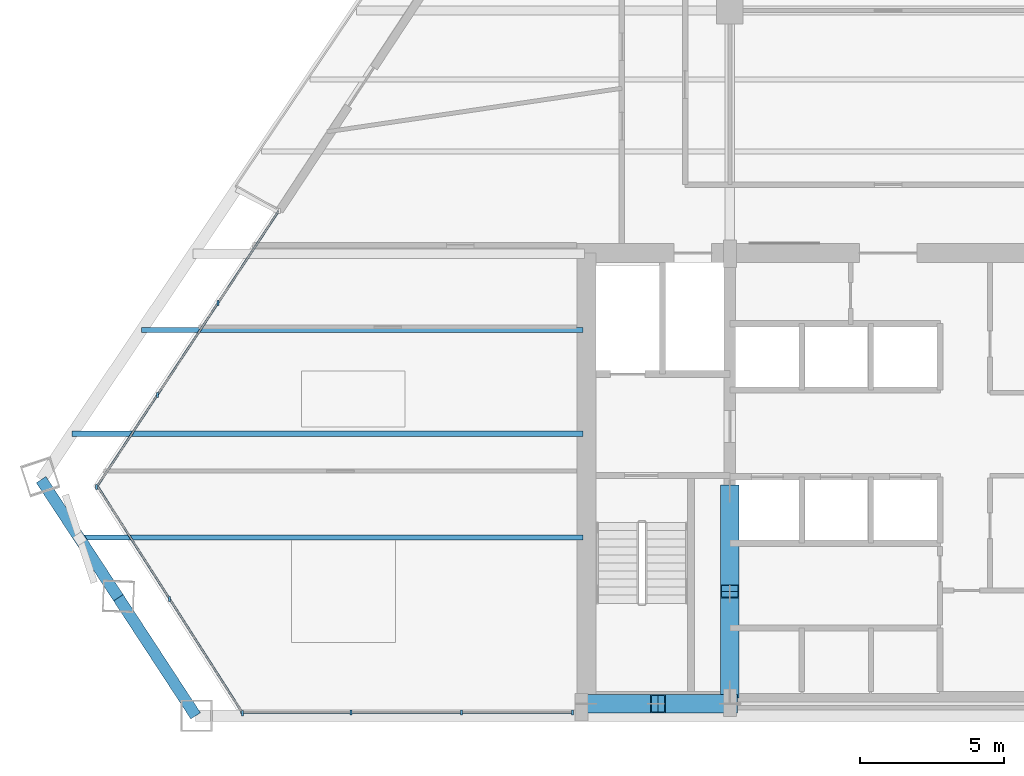
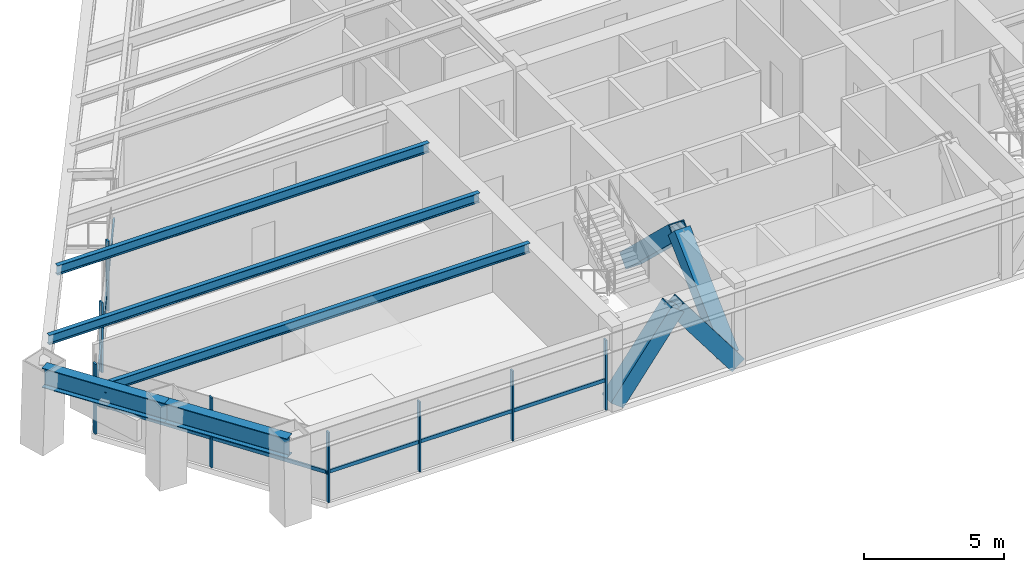
# One storey, part 2 of 14: 20 members, 5 beams, 3 elements without a shape of their own.
"""IFC4 building model written with IfcOpenShell, lengths in metres."""

from ifc_helpers import new_model, si_unit, direction, frame, origin, origin_2d, place, context, subcontext, project, spatial, rectangle, hollow_rectangle, i_section, extrude, source, transform, mapped, material, material_profile, profile_set, type_object, type_shapes, element, aggregate, save


model = new_model("IFC4")

# Units and contexts
model_context = context("Model", 3, precision=1e-05, world=origin(), true_north=direction((0.0, 1.0)))
body_context = subcontext(model_context, "Body", "Model", "MODEL_VIEW")
ifc_project = project(units=[si_unit("LENGTHUNIT", "METRE"), si_unit("AREAUNIT", "SQUARE_METRE"), si_unit("VOLUMEUNIT", "CUBIC_METRE"), si_unit("PLANEANGLEUNIT", "RADIAN"), si_unit("MASSUNIT", "GRAM", prefix="KILO")], contexts=[model_context])

# Site, building, storey
site_placement = place(None, origin())
site = spatial("IfcSite", under=ifc_project, at=site_placement, CompositionType="ELEMENT")
building_placement = place(site_placement, origin())
building = spatial("IfcBuilding", under=site, at=building_placement, Name="Varnakhor Terracotta Tower", CompositionType="ELEMENT")
storey_placement = place(building_placement, frame((0.0, 0.0, 125.60009765625)))
storey = spatial("IfcBuildingStorey", under=building, at=storey_placement, Name="L31", CompositionType="ELEMENT", Elevation=125.60009765625)

# Beams
ifc_material_1 = material(Name="Steel S355", Category="steel")
ifc_material_profile_1 = material_profile(ifc_material_1, i_section(OverallWidth=0.39990234375, OverallDepth=0.85498046875, WebThickness=0.01806640625, FlangeThickness=0.029052734375, FilletRadius=0.01806640625, at=origin_2d()), Name="W33X201")
ifc_profile_set_1 = profile_set([ifc_material_profile_1], Name="Steel S355")
beam_type_1 = type_object("IfcBeamType", Name="BM-W33X201", PredefinedType="BEAM", material=ifc_profile_set_1)
shared_shape_1 = source(origin(), body_context, "Body", "SweptSolid", [
    extrude(i_section(OverallWidth=0.39990234375, OverallDepth=0.85498046875, WebThickness=0.01806640625, FlangeThickness=0.029052734375, FilletRadius=0.01806640625, at=origin_2d()), origin(), (0.0, 0.0, 1.0), 4.9013671875),
])
beam_1_placement = place(storey_placement, frame((-29.4228515625, 8.20263671875, 3.04248046875), z_axis=(0.54756470338, -0.836763345046, 0.0), x_axis=(0.836763345046, 0.54756470338, 0.0)))
element("IfcBeam", 1, at=beam_1_placement, inside=storey, type_object=beam_type_1, Name="L31 Perimeter Spandrel 7", PredefinedType="BEAM", context=body_context, shape_type="MappedRepresentation", body=[
    mapped(shared_shape_1, transform((0.0, 0.0, 0.0), scale=1.0)),
])
shared_shape_2 = source(origin(), body_context, "Body", "SweptSolid", [
    extrude(i_section(OverallWidth=0.39990234375, OverallDepth=0.85498046875, WebThickness=0.01806640625, FlangeThickness=0.029052734375, FilletRadius=0.01806640625, at=origin_2d()), origin(), (0.0, 0.0, 1.0), 4.901611328125),
])
beam_2_placement = place(storey_placement, frame((-26.739013671875, 4.101318359375, 3.04248046875), z_axis=(0.54759957778, -0.836740522752, 0.0), x_axis=(0.836740522752, 0.54759957778, 0.0)))
element("IfcBeam", 2, at=beam_2_placement, inside=storey, type_object=beam_type_1, Name="L31 Perimeter Spandrel 8", PredefinedType="BEAM", context=body_context, shape_type="MappedRepresentation", body=[
    mapped(shared_shape_2, transform((0.0, 0.0, 0.0), scale=1.0)),
])
ifc_material_profile_2 = material_profile(ifc_material_1, i_section(OverallWidth=0.179931640625, OverallDepth=0.4130859375, WebThickness=0.009765625, FlangeThickness=0.01611328125, FilletRadius=0.01806640625, at=origin_2d()), Name="W16X50")
ifc_profile_set_2 = profile_set([ifc_material_profile_2], Name="Steel S355")
beam_type_2 = type_object("IfcBeamType", Name="JST-W16X50", PredefinedType="JOIST", material=ifc_profile_set_2)
shared_shape_3 = source(origin(), body_context, "Body", "SweptSolid", [
    extrude(i_section(OverallWidth=0.179931640625, OverallDepth=0.4130859375, WebThickness=0.009765625, FlangeThickness=0.01611328125, FilletRadius=0.01806640625, at=origin_2d()), origin(), (0.0, 0.0, 1.0), 17.51220703125),
])
beam_3_placement = place(storey_placement, frame((-28.1123046875, 6.199951171875, 3.263427734375), z_axis=(1.0, 0.0, 0.0), x_axis=(0.0, 1.0, 0.0)))
element("IfcBeam", 3, at=beam_3_placement, inside=storey, type_object=beam_type_2, Name="L31 Floor Joist W1", PredefinedType="JOIST", context=body_context, shape_type="MappedRepresentation", body=[
    mapped(shared_shape_3, transform((0.0, 0.0, 0.0), scale=1.0)),
])
shared_shape_4 = source(origin(), body_context, "Body", "SweptSolid", [
    extrude(i_section(OverallWidth=0.179931640625, OverallDepth=0.4130859375, WebThickness=0.009765625, FlangeThickness=0.01611328125, FilletRadius=0.01806640625, at=origin_2d()), origin(), (0.0, 0.0, 1.0), 17.7490234375),
])
beam_4_placement = place(storey_placement, frame((-28.34912109375, 9.800048828125, 3.263427734375), z_axis=(1.0, 0.0, 0.0), x_axis=(0.0, 1.0, 0.0)))
element("IfcBeam", 4, at=beam_4_placement, inside=storey, type_object=beam_type_2, Name="L31 Floor Joist W2", PredefinedType="JOIST", context=body_context, shape_type="MappedRepresentation", body=[
    mapped(shared_shape_4, transform((0.0, 0.0, 0.0), scale=1.0)),
])
shared_shape_5 = source(origin(), body_context, "Body", "SweptSolid", [
    extrude(i_section(OverallWidth=0.179931640625, OverallDepth=0.4130859375, WebThickness=0.009765625, FlangeThickness=0.01611328125, FilletRadius=0.01806640625, at=origin_2d()), origin(), (0.0, 0.0, 1.0), 15.32958984375),
])
beam_5_placement = place(storey_placement, frame((-25.9296875, 13.39990234375, 3.263427734375), z_axis=(1.0, 0.0, 0.0), x_axis=(0.0, 1.0, 0.0)))
element("IfcBeam", 5, at=beam_5_placement, inside=storey, type_object=beam_type_2, Name="L31 Floor Joist W3", PredefinedType="JOIST", context=body_context, shape_type="MappedRepresentation", body=[
    mapped(shared_shape_5, transform((0.0, 0.0, 0.0), scale=1.0)),
])

# Members
ifc_material_2 = material(Name="Steel S460", Category="steel")
ifc_material_profile_3 = material_profile(ifc_material_2, hollow_rectangle(XDim=0.64990234375, YDim=0.64990234375, WallThickness=0.0400390625, at=origin_2d()), Name="HSS650X650X40")
ifc_profile_set_3 = profile_set([ifc_material_profile_3], Name="Steel S460")
member_type_1 = type_object("IfcMemberType", Name="MBR-MEGA-650", PredefinedType="BRACE", material=ifc_profile_set_3)
shared_shape_6 = source(origin(), body_context, "Body", "SweptSolid", [
    extrude(hollow_rectangle(XDim=0.64990234375, YDim=0.64990234375, WallThickness=0.0400390625, at=origin_2d()), origin(), (0.0, 0.0, 1.0), 4.15576171875),
])
for number, where, z_axis, x_axis, name in (
    (6, (-10.5, 0.419921875, 0.0), (0.601559152872, 0.0, 0.798828257886), (0.0, 1.0, 0.0), "L31 Core Coupled Brace CSWA"),
    (7, (-5.5, 0.419921875, 0.0), (-0.601559152872, 0.0, 0.798828257886), (0.0, -1.0, 0.0), "L31 Core Coupled Brace CSWB"),
):
    element("IfcMember", number, at=place(storey_placement, frame(where, z_axis=z_axis, x_axis=x_axis)), inside=storey, type_object=member_type_1, Name=name, PredefinedType="BRACE", context=body_context, shape_type="MappedRepresentation", body=[
        mapped(shared_shape_6, transform((0.0, 0.0, 0.0), scale=1.0)),
    ])
shared_shape_7 = source(origin(), body_context, "Body", "SweptSolid", [
    extrude(hollow_rectangle(XDim=0.64990234375, YDim=0.64990234375, WallThickness=0.0400390625, at=origin_2d()), origin(), (0.0, 0.0, 1.0), 4.805908203125),
])
for number, where, z_axis, x_axis, name in (
    (8, (-5.5, 0.85009765625, 0.0), (0.0, 0.72305215055, 0.690793447845), (-1.0, 0.0, 0.0), "L31 Core Coupled Brace CWWA"),
    (9, (-5.5, 7.800048828125, 0.0), (0.0, -0.723076391278, 0.690768074231), (1.0, 0.0, 0.0), "L31 Core Coupled Brace CWWB"),
):
    element("IfcMember", number, at=place(storey_placement, frame(where, z_axis=z_axis, x_axis=x_axis)), inside=storey, type_object=member_type_1, Name=name, PredefinedType="BRACE", context=body_context, shape_type="MappedRepresentation", body=[
        mapped(shared_shape_7, transform((0.0, 0.0, 0.0), scale=1.0)),
    ])

# Curtain wall, members
ifc_material_3 = material(Name="Anodised Aluminium Curtain Wall System", Category="aluminium")
curtain_wall_type = type_object("IfcCurtainWallType", Name="CW-SYS-MID-OFFICE", PredefinedType="NOTDEFINED", material=ifc_material_3)
curtain_wall_1_placement = place(storey_placement, origin())
curtain_wall_1 = element("IfcCurtainWall", 10, at=curtain_wall_1_placement, inside=storey, type_object=curtain_wall_type, Name="L31 W Facet Curtain Wall 1", PredefinedType="NOTDEFINED")
ifc_material_4 = material(Name="Anodised Aluminium 6063-T6", Category="aluminium")
ifc_material_profile_4 = material_profile(ifc_material_4, rectangle(XDim=0.070068359375, YDim=0.175048828125, at=origin_2d()), Name="ALU MULLION 70x175")
ifc_profile_set_4 = profile_set([ifc_material_profile_4], Name="Anodised Aluminium 6063-T6")
member_type_2 = type_object("IfcMemberType", Name="CWM-03", PredefinedType="MULLION", material=ifc_profile_set_4)
shared_shape_8 = source(origin(), body_context, "Body", "SweptSolid", [
    extrude(rectangle(XDim=0.070068359375, YDim=0.175048828125, at=origin_2d()), origin(), (0.0, 0.0, 1.0), 3.0498046875),
])
type_shapes(member_type_2, [shared_shape_8])
member_1_placement = place(storey_placement, frame((-27.49267578125, 7.943603515625, 0.0), z_axis=(0.0, 0.0, 1.0), x_axis=(1.0, 0.0, 0.0)))
member_1 = element("IfcMember", 11, at=member_1_placement, type_object=member_type_2, Name="L31 W Facet Curtain Wall 1 Mullion 1", PredefinedType="MULLION", context=body_context, shape_type="MappedRepresentation", body=[
    mapped(shared_shape_8, transform((0.0, 0.0, 0.0), scale=1.0)),
])
member_2_placement = place(storey_placement, frame((-25.386474609375, 11.138671875, 0.0), z_axis=(0.0, 0.0, 1.0), x_axis=(1.0, 0.0, 0.0)))
member_2 = element("IfcMember", 12, at=member_2_placement, type_object=member_type_2, Name="L31 W Facet Curtain Wall 1 Mullion 2", PredefinedType="MULLION", context=body_context, shape_type="MappedRepresentation", body=[
    mapped(shared_shape_8, transform((0.0, 0.0, 0.0), scale=1.0)),
])
member_3_placement = place(storey_placement, frame((-23.2802734375, 14.333740234375, 0.0), z_axis=(0.0, 0.0, 1.0), x_axis=(1.0, 0.0, 0.0)))
member_3 = element("IfcMember", 13, at=member_3_placement, type_object=member_type_2, Name="L31 W Facet Curtain Wall 1 Mullion 3", PredefinedType="MULLION", context=body_context, shape_type="MappedRepresentation", body=[
    mapped(shared_shape_8, transform((0.0, 0.0, 0.0), scale=1.0)),
])

curtain_wall_2_placement = place(storey_placement, origin())
curtain_wall_2 = element("IfcCurtainWall", 14, at=curtain_wall_2_placement, inside=storey, type_object=curtain_wall_type, Name="L31 South Wing Curtain Wall SSW", PredefinedType="NOTDEFINED")
member_4_placement = place(storey_placement, frame((-10.969970703125, 0.1201171875, 0.0), z_axis=(0.0, 0.0, 1.0), x_axis=(1.0, 0.0, 0.0)))
member_4 = element("IfcMember", 15, at=member_4_placement, type_object=member_type_2, Name="L31 South Wing Curtain Wall SSW Mullion 1", PredefinedType="MULLION", context=body_context, shape_type="MappedRepresentation", body=[
    mapped(shared_shape_8, transform((0.0, 0.0, 0.0), scale=1.0)),
])
member_5_placement = place(storey_placement, frame((-14.8115234375, 0.1201171875, 0.0), z_axis=(0.0, 0.0, 1.0), x_axis=(1.0, 0.0, 0.0)))
member_5 = element("IfcMember", 16, at=member_5_placement, type_object=member_type_2, Name="L31 South Wing Curtain Wall SSW Mullion 2", PredefinedType="MULLION", context=body_context, shape_type="MappedRepresentation", body=[
    mapped(shared_shape_8, transform((0.0, 0.0, 0.0), scale=1.0)),
])
member_6_placement = place(storey_placement, frame((-18.653076171875, 0.1201171875, 0.0), z_axis=(0.0, 0.0, 1.0), x_axis=(1.0, 0.0, 0.0)))
member_6 = element("IfcMember", 17, at=member_6_placement, type_object=member_type_2, Name="L31 South Wing Curtain Wall SSW Mullion 3", PredefinedType="MULLION", context=body_context, shape_type="MappedRepresentation", body=[
    mapped(shared_shape_8, transform((0.0, 0.0, 0.0), scale=1.0)),
])

curtain_wall_3_placement = place(storey_placement, origin())
curtain_wall_3 = element("IfcCurtainWall", 18, at=curtain_wall_3_placement, inside=storey, type_object=curtain_wall_type, Name="L31 Facet Curtain Wall 6", PredefinedType="NOTDEFINED")
member_7_placement = place(storey_placement, frame((-22.419921875, 0.08984375, 0.0), z_axis=(0.0, 0.0, 1.0), x_axis=(1.0, 0.0, 0.0)))
member_7 = element("IfcMember", 19, at=member_7_placement, type_object=member_type_2, Name="L31 Facet Curtain Wall 6 Mullion 1", PredefinedType="MULLION", context=body_context, shape_type="MappedRepresentation", body=[
    mapped(shared_shape_8, transform((0.0, 0.0, 0.0), scale=1.0)),
])
member_8_placement = place(storey_placement, frame((-24.955810546875, 4.056884765625, 0.0), z_axis=(0.0, 0.0, 1.0), x_axis=(1.0, 0.0, 0.0)))
member_8 = element("IfcMember", 20, at=member_8_placement, type_object=member_type_2, Name="L31 Facet Curtain Wall 6 Mullion 2", PredefinedType="MULLION", context=body_context, shape_type="MappedRepresentation", body=[
    mapped(shared_shape_8, transform((0.0, 0.0, 0.0), scale=1.0)),
])

# Member
ifc_material_profile_5 = material_profile(ifc_material_4, rectangle(XDim=0.070068359375, YDim=0.155029296875, at=origin_2d()), Name="ALU TRANSOM 70x155")
ifc_profile_set_5 = profile_set([ifc_material_profile_5], Name="Anodised Aluminium 6063-T6")
member_type_3 = type_object("IfcMemberType", Name="CWT-03", PredefinedType="USERDEFINED", material=ifc_profile_set_5)
shared_shape_9 = source(origin(), body_context, "Body", "SweptSolid", [
    extrude(rectangle(XDim=0.070068359375, YDim=0.155029296875, at=origin_2d()), origin(), (0.0, 0.0, 1.0), 3.826904296875),
])
type_shapes(member_type_3, [shared_shape_9])
member_9_placement = place(storey_placement, frame((-27.49267578125, 7.943603515625, 1.281005859375), z_axis=(0.550379064498, 0.834914897078, 0.0), x_axis=(-0.834914897078, 0.550379064498, 0.0)))
member_9 = element("IfcMember", 21, at=member_9_placement, type_object=member_type_3, Name="L31 W Facet Curtain Wall 1 Transom 1", ObjectType="TRANSOM", PredefinedType="USERDEFINED", context=body_context, shape_type="MappedRepresentation", body=[
    mapped(shared_shape_9, transform((0.0, 0.0, 0.0), scale=1.0)),
])

member_10_placement = place(storey_placement, frame((-25.386474609375, 11.138671875, 1.281005859375), z_axis=(0.550379064498, 0.834914897078, 0.0), x_axis=(-0.834914897078, 0.550379064498, 0.0)))
member_10 = element("IfcMember", 22, at=member_10_placement, type_object=member_type_3, Name="L31 W Facet Curtain Wall 1 Transom 2", ObjectType="TRANSOM", PredefinedType="USERDEFINED", context=body_context, shape_type="MappedRepresentation", body=[
    mapped(shared_shape_9, transform((0.0, 0.0, 0.0), scale=1.0)),
])

member_11_placement = place(storey_placement, frame((-23.2802734375, 14.333740234375, 1.281005859375), z_axis=(0.550349749618, 0.834934220819, 0.0), x_axis=(-0.834934220819, 0.550349749618, 0.0)))
member_11 = element("IfcMember", 23, at=member_11_placement, type_object=member_type_3, Name="L31 W Facet Curtain Wall 1 Transom 3", ObjectType="TRANSOM", PredefinedType="USERDEFINED", context=body_context, shape_type="MappedRepresentation", body=[
    mapped(shared_shape_9, transform((0.0, 0.0, 0.0), scale=1.0)),
])

aggregate(curtain_wall_1, [member_1, member_9, member_2, member_10, member_3, member_11])

shared_shape_10 = source(origin(), body_context, "Body", "SweptSolid", [
    extrude(rectangle(XDim=0.070068359375, YDim=0.155029296875, at=origin_2d()), origin(), (0.0, 0.0, 1.0), 3.841552734375),
])
member_12_placement = place(storey_placement, frame((-10.969970703125, 0.1201171875, 1.281005859375), z_axis=(-1.0, 0.0, 0.0), x_axis=(0.0, -1.0, 0.0)))
member_12 = element("IfcMember", 24, at=member_12_placement, type_object=member_type_3, Name="L31 South Wing Curtain Wall SSW Transom 1", ObjectType="TRANSOM", PredefinedType="USERDEFINED", context=body_context, shape_type="MappedRepresentation", body=[
    mapped(shared_shape_10, transform((0.0, 0.0, 0.0), scale=1.0)),
])

member_13_placement = place(storey_placement, frame((-14.8115234375, 0.1201171875, 1.281005859375), z_axis=(-1.0, 0.0, 0.0), x_axis=(0.0, -1.0, 0.0)))
member_13 = element("IfcMember", 25, at=member_13_placement, type_object=member_type_3, Name="L31 South Wing Curtain Wall SSW Transom 2", ObjectType="TRANSOM", PredefinedType="USERDEFINED", context=body_context, shape_type="MappedRepresentation", body=[
    mapped(shared_shape_10, transform((0.0, 0.0, 0.0), scale=1.0)),
])

member_14_placement = place(storey_placement, frame((-18.653076171875, 0.1201171875, 1.281005859375), z_axis=(-1.0, 0.0, 0.0), x_axis=(0.0, -1.0, 0.0)))
member_14 = element("IfcMember", 26, at=member_14_placement, type_object=member_type_3, Name="L31 South Wing Curtain Wall SSW Transom 3", ObjectType="TRANSOM", PredefinedType="USERDEFINED", context=body_context, shape_type="MappedRepresentation", body=[
    mapped(shared_shape_10, transform((0.0, 0.0, 0.0), scale=1.0)),
])

aggregate(curtain_wall_2, [member_4, member_12, member_5, member_13, member_6, member_14])

shared_shape_11 = source(origin(), body_context, "Body", "SweptSolid", [
    extrude(rectangle(XDim=0.070068359375, YDim=0.155029296875, at=origin_2d()), origin(), (0.0, 0.0, 1.0), 4.708251953125),
])
member_15_placement = place(storey_placement, frame((-22.419921875, 0.08984375, 1.281005859375), z_axis=(-0.538598946158, 0.842562267846, 0.0), x_axis=(-0.842562267846, -0.538598946158, 0.0)))
member_15 = element("IfcMember", 27, at=member_15_placement, type_object=member_type_3, Name="L31 Facet Curtain Wall 6 Transom 1", ObjectType="TRANSOM", PredefinedType="USERDEFINED", context=body_context, shape_type="MappedRepresentation", body=[
    mapped(shared_shape_11, transform((0.0, 0.0, 0.0), scale=1.0)),
])

shared_shape_12 = source(origin(), body_context, "Body", "SweptSolid", [
    extrude(rectangle(XDim=0.070068359375, YDim=0.155029296875, at=origin_2d()), origin(), (0.0, 0.0, 1.0), 4.70849609375),
])
member_16_placement = place(storey_placement, frame((-24.955810546875, 4.056884765625, 1.281005859375), z_axis=(-0.538635755765, 0.842538736564, 0.0), x_axis=(-0.842538736564, -0.538635755765, 0.0)))
member_16 = element("IfcMember", 28, at=member_16_placement, type_object=member_type_3, Name="L31 Facet Curtain Wall 6 Transom 2", ObjectType="TRANSOM", PredefinedType="USERDEFINED", context=body_context, shape_type="MappedRepresentation", body=[
    mapped(shared_shape_12, transform((0.0, 0.0, 0.0), scale=1.0)),
])

aggregate(curtain_wall_3, [member_7, member_15, member_8, member_16])

save(model, "model.ifc")
